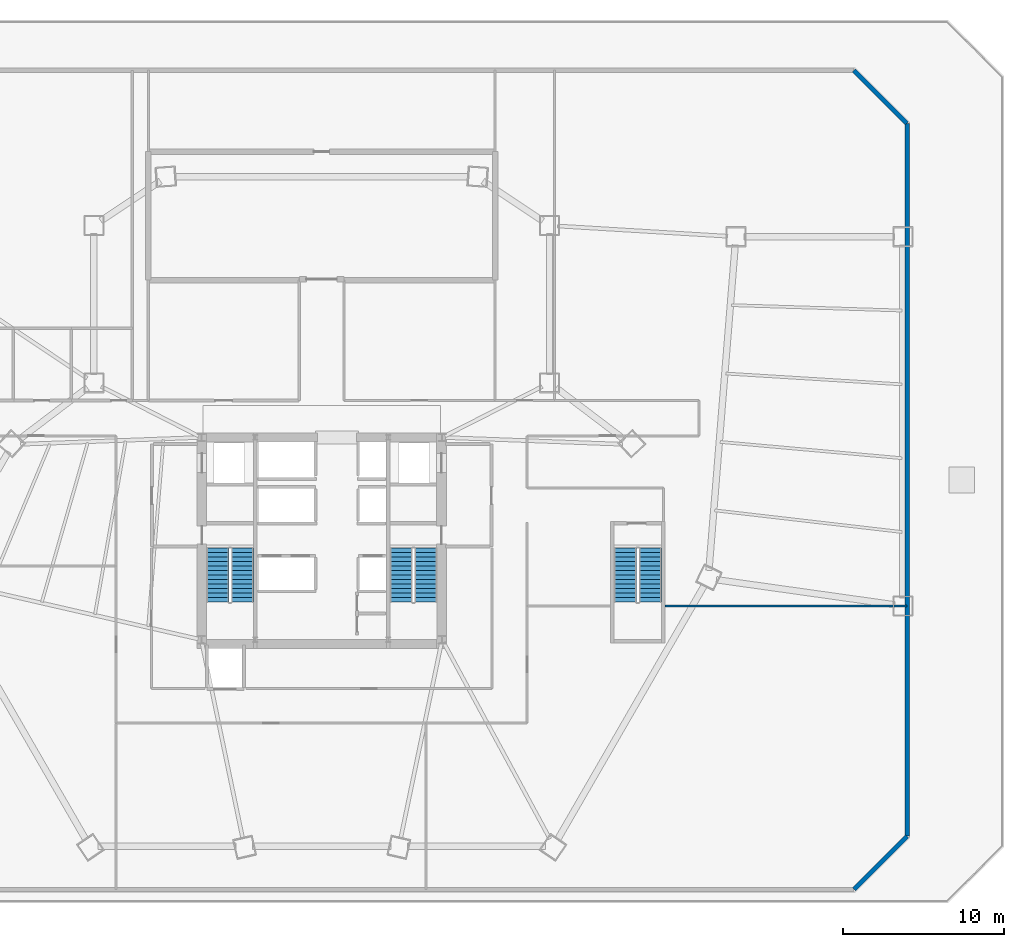
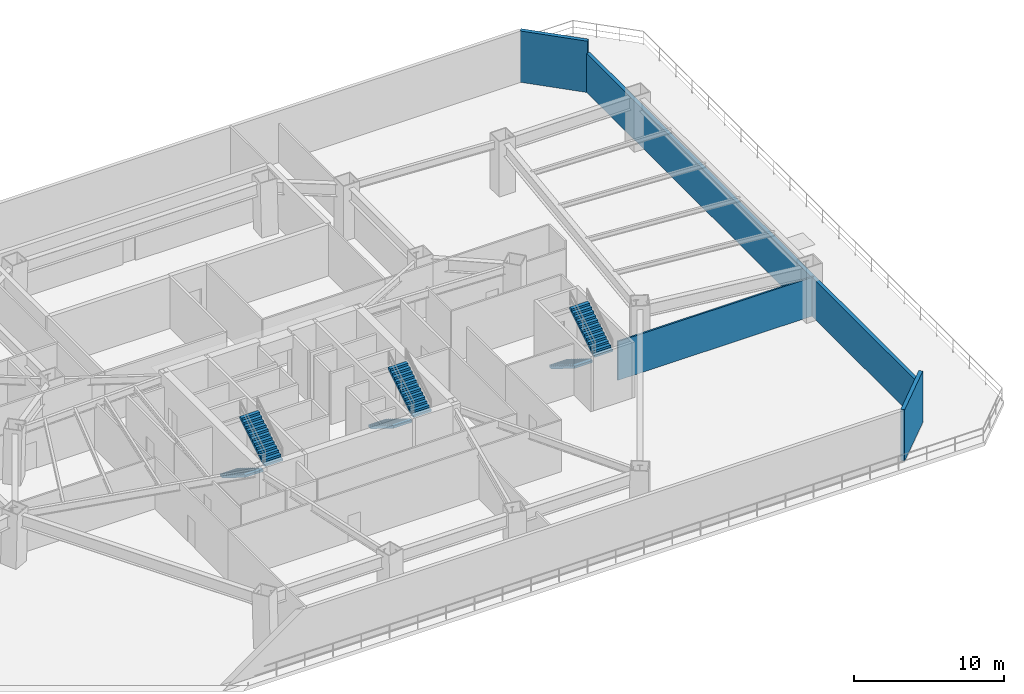
# One storey, part 8 of 13: 6 stair flights, 4 walls, 3 elements without a shape of their own.
"""IFC4 building model written with IfcOpenShell, lengths in metres."""

from ifc_helpers import new_model, si_unit, direction, frame, frame_2d, origin, place, context, subcontext, project, spatial, polyline, rectangle, outline, extrude, material, layer, layer_set, type_object, element, aggregate, save


model = new_model("IFC4")

# Units and contexts
model_context = context("Model", 3, precision=1e-05, world=origin(), true_north=direction((0.0, 1.0)))
body_context = subcontext(model_context, "Body", "Model", "MODEL_VIEW")
ifc_project = project(units=[si_unit("LENGTHUNIT", "METRE"), si_unit("AREAUNIT", "SQUARE_METRE"), si_unit("VOLUMEUNIT", "CUBIC_METRE"), si_unit("PLANEANGLEUNIT", "RADIAN"), si_unit("MASSUNIT", "GRAM", prefix="KILO")], contexts=[model_context])

# Site, building, storey
site_placement = place(None, origin())
site = spatial("IfcSite", under=ifc_project, at=site_placement, CompositionType="ELEMENT")
building_placement = place(site_placement, origin())
building = spatial("IfcBuilding", under=site, at=building_placement, Name="Caelisora Broadcast Tower", CompositionType="ELEMENT")
storey_placement = place(building_placement, frame((0.0, 0.0, 10.199951171875)))
storey = spatial("IfcBuildingStorey", under=building, at=storey_placement, Name="L02", CompositionType="ELEMENT", Elevation=10.199951171875)

# Walls
ifc_material_1 = material(Name="Insulated Terracotta Spandrel Wall System", Category="masonry")
ifc_layer_1 = layer(ifc_material_1, 0.280029296875, Name="Insulated Terracotta Spandrel Wall System")
ifc_layer_set_1 = layer_set([ifc_layer_1], Name="Insulated Terracotta Spandrel Wall System")
wall_type_1 = type_object("IfcWallType", Name="EW1", PredefinedType="STANDARD", material=ifc_layer_set_1)
wall_1_placement = place(storey_placement, frame((71.158935546875, 52.860107421875, 0.0), z_axis=(0.0, 0.0, 1.0), x_axis=(0.707106781187, -0.707106781187, 0.0)))
element("IfcWall", 1, at=wall_1_placement, inside=storey, type_object=wall_type_1, Name="L02 exterior envelope wall EW1", PredefinedType="STANDARD", context=body_context, shape_type="SweptSolid", body=[
    extrude(rectangle(XDim=4.66845703125, YDim=0.280029296875, at=frame_2d((2.334228515625, 0.0))), origin(), (0.0, 0.0, 1.0), 4.179931640625),
])
wall_2_placement = place(storey_placement, frame((74.4599609375, 49.5390625, 0.0), z_axis=(0.0, 0.0, 1.0), x_axis=(0.0, -1.0, 0.0)))
element("IfcWall", 2, at=wall_2_placement, inside=storey, type_object=wall_type_1, Name="L02 exterior envelope wall EW1", PredefinedType="STANDARD", context=body_context, shape_type="SweptSolid", body=[
    extrude(rectangle(XDim=44.378173828125, YDim=0.280029296875, at=frame_2d((22.18896484375, 0.0))), origin(), (0.0, 0.0, 1.0), 3.1650390625),
])
wall_3_placement = place(storey_placement, frame((74.4599609375, 5.14111328125, 0.0), z_axis=(0.0, 0.0, 1.0), x_axis=(-0.707106781187, -0.707106781187, 0.0)))
element("IfcWall", 3, at=wall_3_placement, inside=storey, type_object=wall_type_1, Name="L02 exterior envelope wall EW1", PredefinedType="STANDARD", context=body_context, shape_type="SweptSolid", body=[
    extrude(rectangle(XDim=4.66845703125, YDim=0.280029296875, at=frame_2d((2.334228515625, 0.0))), origin(), (0.0, 0.0, 1.0), 4.179931640625),
])
ifc_material_2 = material(Name="Acoustic Steel-Stud Plasterboard Partition", Category="gypsum")
ifc_layer_2 = layer(ifc_material_2, 0.1298828125, Name="Acoustic Steel-Stud Plasterboard Partition")
ifc_layer_set_2 = layer_set([ifc_layer_2], Name="Acoustic Steel-Stud Plasterboard Partition")
wall_type_2 = type_object("IfcWallType", Name="PW3", PredefinedType="PARTITIONING", material=ifc_layer_set_2)
wall_4_placement = place(storey_placement, frame((59.375, 19.5, 0.0), z_axis=(0.0, 0.0, 1.0), x_axis=(1.0, 0.0, 0.0)))
element("IfcWall", 4, at=wall_4_placement, inside=storey, type_object=wall_type_2, Name="L02 internal partition PW3", PredefinedType="PARTITIONING", context=body_context, shape_type="SweptSolid", body=[
    extrude(rectangle(XDim=15.094970703125, YDim=0.1298828125, at=frame_2d((7.54736328125, 0.0))), origin(), (0.0, 0.0, 1.0), 3.1650390625),
])

# Stair, stair flights
ifc_material_3 = material(Name="Concrete 40 MPa (AS 3600 N40)", Category="concrete")
stair_type_1 = type_object("IfcStairType", Name="ST-1", PredefinedType="HALF_TURN_STAIR", material=ifc_material_3)
stair_1_placement = place(storey_placement, origin())
stair_1 = element("IfcStair", 5, at=stair_1_placement, inside=storey, type_object=stair_type_1, Name="L02 West Fire-Isolated Tower Stair", PredefinedType="HALF_TURN_STAIR")
stair_flight_type = type_object("IfcStairFlightType", Name="STF-1", PredefinedType="STRAIGHT", material=ifc_material_3)
stair_flight_1_placement = place(storey_placement, frame((31.52001953125, 23.10009765625, 0.0), z_axis=(0.0, 0.0, 1.0), x_axis=(0.0, -1.0, 0.0)))
stair_flight_1 = element("IfcStairFlight", 6, at=stair_flight_1_placement, type_object=stair_flight_type, Name="ST-1 flight 1", NumberOfRisers=13, NumberOfTreads=12, PredefinedType="STRAIGHT", RiserHeight=0.173076923, TreadLength=0.28, context=body_context, shape_type="SweptSolid", body=[
    extrude(outline(polyline([(0.0, 0.0), (0.0, 0.173095703125), (0.280029296875, 0.173095703125), (0.280029296875, 0.34619140625), (0.56005859375, 0.34619140625), (0.56005859375, 0.519287109375), (0.840087890625, 0.519287109375), (0.840087890625, 0.6923828125), (1.1201171875, 0.6923828125), (1.1201171875, 0.865478515625), (1.39990234375, 0.865478515625), (1.39990234375, 1.03857421875), (1.679931640625, 1.03857421875), (1.679931640625, 1.21142578125), (1.9599609375, 1.21142578125), (1.9599609375, 1.384521484375), (2.239990234375, 1.384521484375), (2.239990234375, 1.5576171875), (2.52001953125, 1.5576171875), (2.52001953125, 1.730712890625), (2.800048828125, 1.730712890625), (2.800048828125, 1.90380859375), (3.080078125, 1.90380859375), (3.080078125, 2.076904296875), (3.360107421875, 2.076904296875), (3.360107421875, 2.25), (3.360107421875, 1.900634765625), (0.28515625, 0.0), (0.0, 0.0)])), frame((0.0, 0.699951171875, 0.0), z_axis=(0.0, -1.0, 0.0), x_axis=(1.0, 0.0, 0.0)), (0.0, 0.0, 1.0), 1.39990234375),
])
stair_flight_2_placement = place(storey_placement, frame((33.0400390625, 19.739990234375, 2.25), z_axis=(0.0, 0.0, 1.0), x_axis=(0.0, 1.0, 0.0)))
stair_flight_2 = element("IfcStairFlight", 7, at=stair_flight_2_placement, type_object=stair_flight_type, Name="ST-1 flight 2", NumberOfRisers=13, NumberOfTreads=12, PredefinedType="STRAIGHT", RiserHeight=0.173076923, TreadLength=0.28, context=body_context, shape_type="SweptSolid", body=[
    extrude(outline(polyline([(0.0, 0.0), (0.0, 0.173095703125), (0.280029296875, 0.173095703125), (0.280029296875, 0.34619140625), (0.56005859375, 0.34619140625), (0.56005859375, 0.519287109375), (0.840087890625, 0.519287109375), (0.840087890625, 0.6923828125), (1.1201171875, 0.6923828125), (1.1201171875, 0.865478515625), (1.39990234375, 0.865478515625), (1.39990234375, 1.03857421875), (1.679931640625, 1.03857421875), (1.679931640625, 1.21142578125), (1.9599609375, 1.21142578125), (1.9599609375, 1.384521484375), (2.239990234375, 1.384521484375), (2.239990234375, 1.5576171875), (2.52001953125, 1.5576171875), (2.52001953125, 1.730712890625), (2.800048828125, 1.730712890625), (2.800048828125, 1.90380859375), (3.080078125, 1.90380859375), (3.080078125, 2.076904296875), (3.360107421875, 2.076904296875), (3.360107421875, 2.25), (3.360107421875, 1.900634765625), (0.28515625, 0.0), (0.0, 0.0)])), frame((0.0, 0.699951171875, 0.0), z_axis=(0.0, -1.0, 0.0), x_axis=(1.0, 0.0, 0.0)), (0.0, 0.0, 1.0), 1.39990234375),
])
aggregate(stair_1, [stair_flight_1, stair_flight_2])

stair_type_2 = type_object("IfcStairType", Name="ST-2", PredefinedType="HALF_TURN_STAIR", material=ifc_material_3)
stair_2_placement = place(storey_placement, origin())
stair_2 = element("IfcStair", 8, at=stair_2_placement, inside=storey, type_object=stair_type_2, Name="L02 East Fire-Isolated Tower Stair", PredefinedType="HALF_TURN_STAIR")
stair_flight_3_placement = place(storey_placement, frame((42.9599609375, 23.10009765625, 0.0), z_axis=(0.0, 0.0, 1.0), x_axis=(0.0, -1.0, 0.0)))
stair_flight_3 = element("IfcStairFlight", 9, at=stair_flight_3_placement, type_object=stair_flight_type, Name="ST-2 flight 1", NumberOfRisers=13, NumberOfTreads=12, PredefinedType="STRAIGHT", RiserHeight=0.173076923, TreadLength=0.28, context=body_context, shape_type="SweptSolid", body=[
    extrude(outline(polyline([(0.0, 0.0), (0.0, 0.173095703125), (0.280029296875, 0.173095703125), (0.280029296875, 0.34619140625), (0.56005859375, 0.34619140625), (0.56005859375, 0.519287109375), (0.840087890625, 0.519287109375), (0.840087890625, 0.6923828125), (1.1201171875, 0.6923828125), (1.1201171875, 0.865478515625), (1.39990234375, 0.865478515625), (1.39990234375, 1.03857421875), (1.679931640625, 1.03857421875), (1.679931640625, 1.21142578125), (1.9599609375, 1.21142578125), (1.9599609375, 1.384521484375), (2.239990234375, 1.384521484375), (2.239990234375, 1.5576171875), (2.52001953125, 1.5576171875), (2.52001953125, 1.730712890625), (2.800048828125, 1.730712890625), (2.800048828125, 1.90380859375), (3.080078125, 1.90380859375), (3.080078125, 2.076904296875), (3.360107421875, 2.076904296875), (3.360107421875, 2.25), (3.360107421875, 1.900634765625), (0.28515625, 0.0), (0.0, 0.0)])), frame((0.0, 0.699951171875, 0.0), z_axis=(0.0, -1.0, 0.0), x_axis=(1.0, 0.0, 0.0)), (0.0, 0.0, 1.0), 1.39990234375),
])
stair_flight_4_placement = place(storey_placement, frame((44.47998046875, 19.739990234375, 2.25), z_axis=(0.0, 0.0, 1.0), x_axis=(0.0, 1.0, 0.0)))
stair_flight_4 = element("IfcStairFlight", 10, at=stair_flight_4_placement, type_object=stair_flight_type, Name="ST-2 flight 2", NumberOfRisers=13, NumberOfTreads=12, PredefinedType="STRAIGHT", RiserHeight=0.173076923, TreadLength=0.28, context=body_context, shape_type="SweptSolid", body=[
    extrude(outline(polyline([(0.0, 0.0), (0.0, 0.173095703125), (0.280029296875, 0.173095703125), (0.280029296875, 0.34619140625), (0.56005859375, 0.34619140625), (0.56005859375, 0.519287109375), (0.840087890625, 0.519287109375), (0.840087890625, 0.6923828125), (1.1201171875, 0.6923828125), (1.1201171875, 0.865478515625), (1.39990234375, 0.865478515625), (1.39990234375, 1.03857421875), (1.679931640625, 1.03857421875), (1.679931640625, 1.21142578125), (1.9599609375, 1.21142578125), (1.9599609375, 1.384521484375), (2.239990234375, 1.384521484375), (2.239990234375, 1.5576171875), (2.52001953125, 1.5576171875), (2.52001953125, 1.730712890625), (2.800048828125, 1.730712890625), (2.800048828125, 1.90380859375), (3.080078125, 1.90380859375), (3.080078125, 2.076904296875), (3.360107421875, 2.076904296875), (3.360107421875, 2.25), (3.360107421875, 1.900634765625), (0.28515625, 0.0), (0.0, 0.0)])), frame((0.0, 0.699951171875, 0.0), z_axis=(0.0, -1.0, 0.0), x_axis=(1.0, 0.0, 0.0)), (0.0, 0.0, 1.0), 1.39990234375),
])
aggregate(stair_2, [stair_flight_3, stair_flight_4])

stair_type_3 = type_object("IfcStairType", Name="ST-3", PredefinedType="HALF_TURN_STAIR", material=ifc_material_3)
stair_3_placement = place(storey_placement, origin())
stair_3 = element("IfcStair", 11, at=stair_3_placement, inside=storey, type_object=stair_type_3, Name="L02 Podium Broadcast Studio Exit Stair", PredefinedType="HALF_TURN_STAIR")
stair_flight_5_placement = place(storey_placement, frame((56.89990234375, 23.10009765625, 0.0), z_axis=(0.0, 0.0, 1.0), x_axis=(0.0, -1.0, 0.0)))
stair_flight_5 = element("IfcStairFlight", 12, at=stair_flight_5_placement, type_object=stair_flight_type, Name="ST-3 flight 1", NumberOfRisers=13, NumberOfTreads=12, PredefinedType="STRAIGHT", RiserHeight=0.173076923, TreadLength=0.28, context=body_context, shape_type="SweptSolid", body=[
    extrude(outline(polyline([(0.0, 0.0), (0.0, 0.173095703125), (0.280029296875, 0.173095703125), (0.280029296875, 0.34619140625), (0.56005859375, 0.34619140625), (0.56005859375, 0.519287109375), (0.840087890625, 0.519287109375), (0.840087890625, 0.6923828125), (1.1201171875, 0.6923828125), (1.1201171875, 0.865478515625), (1.39990234375, 0.865478515625), (1.39990234375, 1.03857421875), (1.679931640625, 1.03857421875), (1.679931640625, 1.21142578125), (1.9599609375, 1.21142578125), (1.9599609375, 1.384521484375), (2.239990234375, 1.384521484375), (2.239990234375, 1.5576171875), (2.52001953125, 1.5576171875), (2.52001953125, 1.730712890625), (2.800048828125, 1.730712890625), (2.800048828125, 1.90380859375), (3.080078125, 1.90380859375), (3.080078125, 2.076904296875), (3.360107421875, 2.076904296875), (3.360107421875, 2.25), (3.360107421875, 1.900634765625), (0.28515625, 0.0), (0.0, 0.0)])), frame((0.0, 0.699951171875, 0.0), z_axis=(0.0, -1.0, 0.0), x_axis=(1.0, 0.0, 0.0)), (0.0, 0.0, 1.0), 1.39990234375),
])
stair_flight_6_placement = place(storey_placement, frame((58.4599609375, 19.739990234375, 2.25), z_axis=(0.0, 0.0, 1.0), x_axis=(0.0, 1.0, 0.0)))
stair_flight_6 = element("IfcStairFlight", 13, at=stair_flight_6_placement, type_object=stair_flight_type, Name="ST-3 flight 2", NumberOfRisers=13, NumberOfTreads=12, PredefinedType="STRAIGHT", RiserHeight=0.173076923, TreadLength=0.28, context=body_context, shape_type="SweptSolid", body=[
    extrude(outline(polyline([(0.0, 0.0), (0.0, 0.173095703125), (0.280029296875, 0.173095703125), (0.280029296875, 0.34619140625), (0.56005859375, 0.34619140625), (0.56005859375, 0.519287109375), (0.840087890625, 0.519287109375), (0.840087890625, 0.6923828125), (1.1201171875, 0.6923828125), (1.1201171875, 0.865478515625), (1.39990234375, 0.865478515625), (1.39990234375, 1.03857421875), (1.679931640625, 1.03857421875), (1.679931640625, 1.21142578125), (1.9599609375, 1.21142578125), (1.9599609375, 1.384521484375), (2.239990234375, 1.384521484375), (2.239990234375, 1.5576171875), (2.52001953125, 1.5576171875), (2.52001953125, 1.730712890625), (2.800048828125, 1.730712890625), (2.800048828125, 1.90380859375), (3.080078125, 1.90380859375), (3.080078125, 2.076904296875), (3.360107421875, 2.076904296875), (3.360107421875, 2.25), (3.360107421875, 1.900634765625), (0.28515625, 0.0), (0.0, 0.0)])), frame((0.0, 0.699951171875, 0.0), z_axis=(0.0, -1.0, 0.0), x_axis=(1.0, 0.0, 0.0)), (0.0, 0.0, 1.0), 1.39990234375),
])
aggregate(stair_3, [stair_flight_5, stair_flight_6])

save(model, "model.ifc")
